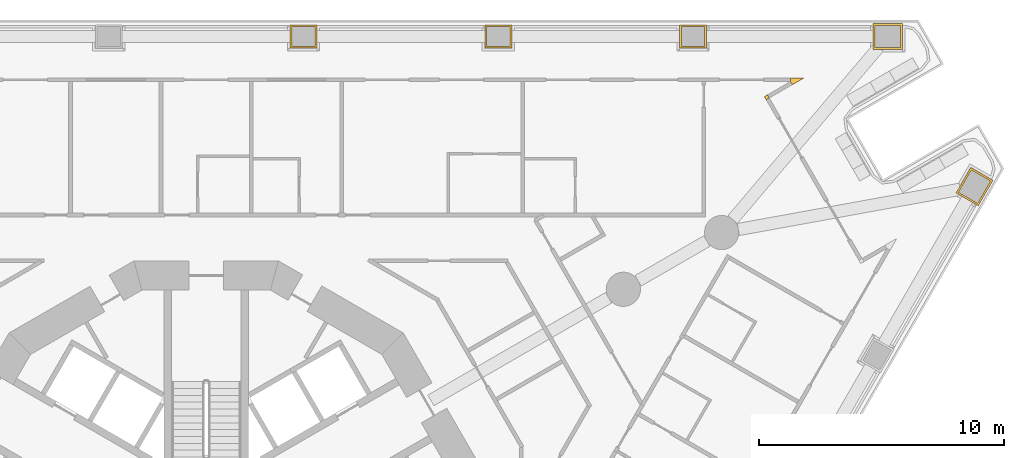
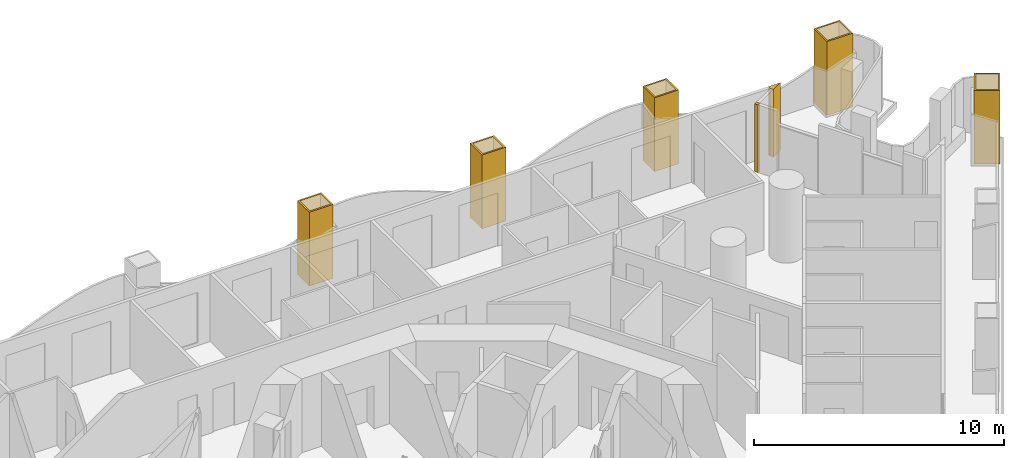
# One storey, part 19 of 20: 7 coverings.
"""IFC4 building model written with IfcOpenShell, lengths in metres."""

from ifc_helpers import new_model, si_unit, direction, frame, origin, place, context, subcontext, project, spatial, polyline, outline, extrude, material, layer, layer_set, type_object, element, save


model = new_model("IFC4")

# Units and contexts
model_context = context("Model", 3, precision=1e-05, world=origin(), true_north=direction((0.0, 1.0)))
body_context = subcontext(model_context, "Body", "Model", "MODEL_VIEW")
ifc_project = project(units=[si_unit("LENGTHUNIT", "METRE"), si_unit("AREAUNIT", "SQUARE_METRE"), si_unit("VOLUMEUNIT", "CUBIC_METRE"), si_unit("PLANEANGLEUNIT", "RADIAN"), si_unit("MASSUNIT", "GRAM", prefix="KILO")], contexts=[model_context])

# Site, building, storey
site_placement = place(None, origin())
site = spatial("IfcSite", under=ifc_project, at=site_placement, CompositionType="ELEMENT")
building_placement = place(site_placement, origin())
building = spatial("IfcBuilding", under=site, at=building_placement, Name="Trine Commons Tower", CompositionType="ELEMENT")
storey_placement = place(building_placement, frame((0.0, 0.0, 35.10009765625)))
storey = spatial("IfcBuildingStorey", under=building, at=storey_placement, Name="L07", CompositionType="ELEMENT", Elevation=35.10009765625)

# Coverings
ifc_material_1 = material(Name="Aluminium-framed insulated wall panel", Category="aluminium")
ifc_layer_1 = layer(ifc_material_1, 0.14990234375)
ifc_layer_set_1 = layer_set([ifc_layer_1], Name="Aluminium-framed insulated wall panel")
covering_type_1 = type_object("IfcCoveringType", Name="Glazing corner post, aluminium", PredefinedType="CLADDING", material=ifc_layer_set_1)
covering_1_placement = place(storey_placement, origin())
element("IfcCovering", 1, at=covering_1_placement, inside=storey, type_object=covering_type_1, Name="Glazing corner post 1-05", PredefinedType="CLADDING", context=body_context, shape_type="SweptSolid", body=[
    extrude(outline(polyline([(103.96875, 80.714599609375), (104.45361328125, 80.99462890625), (103.893798828125, 80.99462890625), (103.893798828125, 80.844482421875), (103.96875, 80.714599609375)])), origin(), (0.0, 0.0, 1.0), 3.2998046875),
])
covering_2_placement = place(storey_placement, origin())
element("IfcCovering", 2, at=covering_2_placement, inside=storey, type_object=covering_type_1, Name="Glazing corner post 1-06", PredefinedType="CLADDING", context=body_context, shape_type="SweptSolid", body=[
    extrude(outline(polyline([(102.898681640625, 80.0966796875), (103.028564453125, 80.171875), (102.95361328125, 80.3017578125), (102.823486328125, 80.226806640625), (102.898681640625, 80.0966796875)])), origin(), (0.0, 0.0, 1.0), 3.2998046875),
])
ifc_material_2 = material(Name="Limestone, honed", Category="masonry")
ifc_layer_2 = layer(ifc_material_2, 0.074951171875)
ifc_layer_set_2 = layer_set([ifc_layer_2], Name="Limestone, honed")
covering_type_2 = type_object("IfcCoveringType", Name="Limestone column cladding 75", PredefinedType="CLADDING", material=ifc_layer_set_2)
covering_3_placement = place(storey_placement, origin())
element("IfcCovering", 3, at=covering_3_placement, inside=storey, type_object=covering_type_2, Name="Limestone pier cladding 1-13", PredefinedType="CLADDING", context=body_context, shape_type="SweptSolid", body=[
    extrude(outline(polyline([(84.53173828125, 82.209716796875), (84.53173828125, 83.15966796875), (83.431640625, 83.15966796875), (83.431640625, 82.209716796875), (84.53173828125, 82.209716796875)]), holes=[polyline([(84.456787109375, 82.28466796875), (84.456787109375, 83.084716796875), (83.506591796875, 83.084716796875), (83.506591796875, 82.28466796875), (84.456787109375, 82.28466796875)])]), origin(), (0.0, 0.0, 1.0), 3.599853515625),
])
covering_4_placement = place(storey_placement, origin())
element("IfcCovering", 4, at=covering_4_placement, inside=storey, type_object=covering_type_2, Name="Limestone pier cladding 1-14", PredefinedType="CLADDING", context=body_context, shape_type="SweptSolid", body=[
    extrude(outline(polyline([(92.4951171875, 82.209716796875), (92.4951171875, 83.15966796875), (91.39501953125, 83.15966796875), (91.39501953125, 82.209716796875), (92.4951171875, 82.209716796875)]), holes=[polyline([(92.420166015625, 82.28466796875), (92.420166015625, 83.084716796875), (91.47021484375, 83.084716796875), (91.47021484375, 82.28466796875), (92.420166015625, 82.28466796875)])]), origin(), (0.0, 0.0, 1.0), 3.599853515625),
])
covering_5_placement = place(storey_placement, origin())
element("IfcCovering", 5, at=covering_5_placement, inside=storey, type_object=covering_type_2, Name="Limestone pier cladding 1-15", PredefinedType="CLADDING", context=body_context, shape_type="SweptSolid", body=[
    extrude(outline(polyline([(100.45849609375, 82.209716796875), (100.45849609375, 83.15966796875), (99.3583984375, 83.15966796875), (99.3583984375, 82.209716796875), (100.45849609375, 82.209716796875)]), holes=[polyline([(100.38330078125, 82.28466796875), (100.38330078125, 83.084716796875), (99.433349609375, 83.084716796875), (99.433349609375, 82.28466796875), (100.38330078125, 82.28466796875)])]), origin(), (0.0, 0.0, 1.0), 3.599853515625),
])
covering_6_placement = place(storey_placement, origin())
element("IfcCovering", 6, at=covering_6_placement, inside=storey, type_object=covering_type_2, Name="Limestone pier cladding 1-16", PredefinedType="CLADDING", context=body_context, shape_type="SweptSolid", body=[
    extrude(outline(polyline([(108.4716796875, 82.15966796875), (108.4716796875, 83.209716796875), (107.271728515625, 83.209716796875), (107.271728515625, 82.15966796875), (108.4716796875, 82.15966796875)]), holes=[polyline([(108.396728515625, 82.234619140625), (108.396728515625, 83.134521484375), (107.3466796875, 83.134521484375), (107.3466796875, 82.234619140625), (108.396728515625, 82.234619140625)])]), origin(), (0.0, 0.0, 1.0), 3.599853515625),
])
covering_7_placement = place(storey_placement, origin())
element("IfcCovering", 7, at=covering_7_placement, inside=storey, type_object=covering_type_2, Name="Limestone pier cladding 1-17", PredefinedType="CLADDING", context=body_context, shape_type="SweptSolid", body=[
    extrude(outline(polyline([(112.1708984375, 76.802490234375), (111.26171875, 77.327392578125), (110.66162109375, 76.288330078125), (111.571044921875, 75.76318359375), (112.1708984375, 76.802490234375)]), holes=[polyline([(112.068603515625, 76.775146484375), (111.2890625, 77.22509765625), (110.76416015625, 76.315673828125), (111.54345703125, 75.86572265625), (112.068603515625, 76.775146484375)])]), origin(), (0.0, 0.0, 1.0), 3.599853515625),
])

save(model, "model.ifc")
